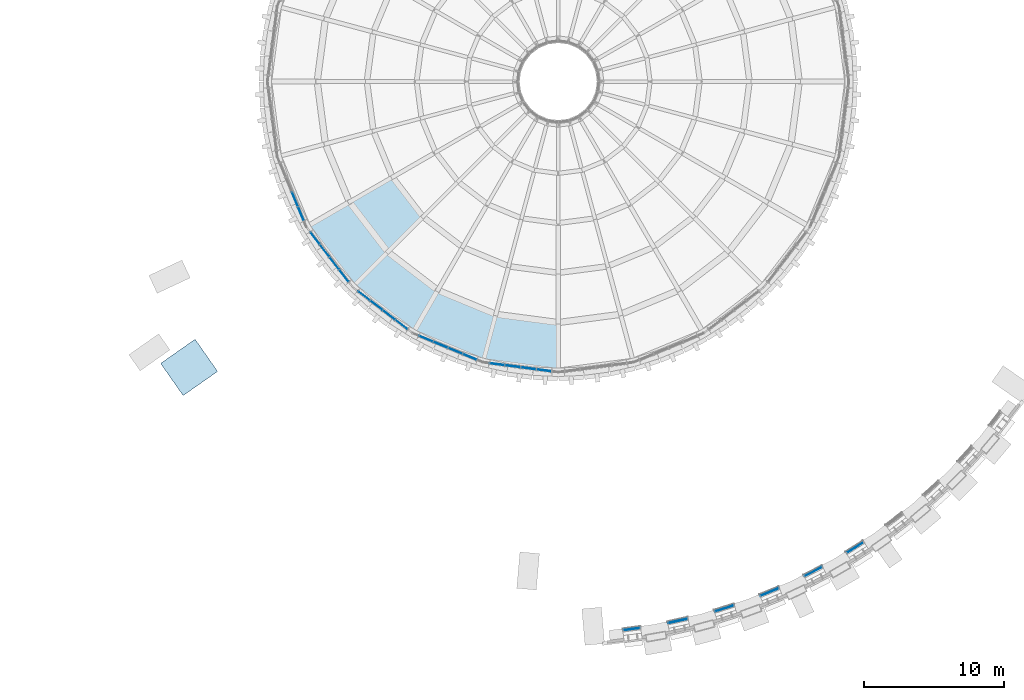
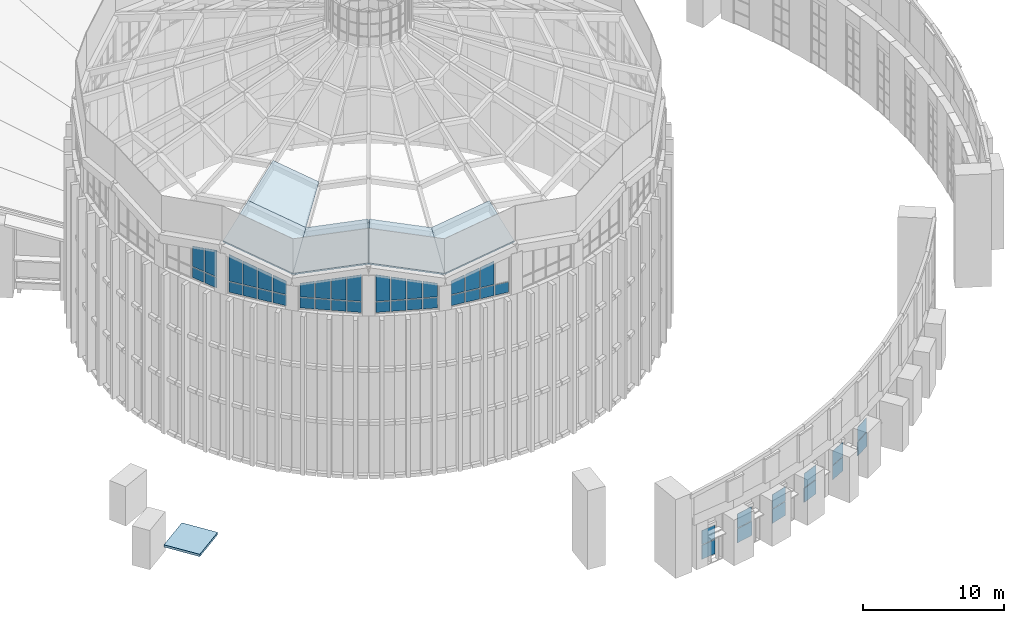
# One storey, part 38 of 82: 47 plates, 6 slabs, 12 elements without a shape of their own.
"""IFC4 building model written with IfcOpenShell, lengths in metres."""

from ifc_helpers import new_model, si_unit, direction, frame, origin, origin_2d, place, context, subcontext, project, spatial, polyline, rectangle, outline, extrude, material, layer, layer_set, type_object, element, aggregate, save


model = new_model("IFC4")

# Units and contexts
model_context = context("Model", 3, precision=1e-05, world=origin(), true_north=direction((0.0, 1.0)))
body_context = subcontext(model_context, "Body", "Model", "MODEL_VIEW")
ifc_project = project(units=[si_unit("LENGTHUNIT", "METRE"), si_unit("AREAUNIT", "SQUARE_METRE"), si_unit("VOLUMEUNIT", "CUBIC_METRE"), si_unit("PLANEANGLEUNIT", "RADIAN"), si_unit("MASSUNIT", "GRAM", prefix="KILO")], contexts=[model_context])

# Site, building, storey
site_placement = place(None, origin())
site = spatial("IfcSite", under=ifc_project, at=site_placement, CompositionType="ELEMENT")
building_placement = place(site_placement, origin())
building = spatial("IfcBuilding", under=site, at=building_placement, Name="Volute Hill Aquarium", CompositionType="ELEMENT")
storey_placement = place(building_placement, frame((0.0, 0.0, 13.800048828125)))
storey = spatial("IfcBuildingStorey", under=building, at=storey_placement, Name="L04", CompositionType="ELEMENT", Elevation=13.800048828125)

# Curtain wall, plates
ifc_material_1 = material(Name="Aluminium", Category="aluminium")
ifc_layer_1 = layer(ifc_material_1, 0.25)
ifc_layer_set_1 = layer_set([ifc_layer_1], Name="Curtain wall niche S3 module 1289")
curtain_wall_type_1 = type_object("IfcCurtainWallType", Name="Curtain wall niche S3 module 1289", PredefinedType="NOTDEFINED", material=ifc_layer_set_1)
curtain_wall_1_placement = place(storey_placement, origin())
curtain_wall_1 = element("IfcCurtainWall", 1, at=curtain_wall_1_placement, inside=storey, type_object=curtain_wall_type_1, Name="Curtain wall CW S3 L04 1", PredefinedType="NOTDEFINED")
ifc_material_2 = material(Name="Glass, low-iron laminated", Category="glass")
ifc_layer_2 = layer(ifc_material_2, 0.035888671875)
ifc_layer_set_2 = layer_set([ifc_layer_2], Name="Curtain wall glass panel S3 36")
plate_type_1 = type_object("IfcPlateType", Name="Curtain wall glass panel S3 36", PredefinedType="CURTAIN_PANEL", material=ifc_layer_set_2)
plate_1_placement = place(storey_placement, frame((5.23388671875, -38.987548828125, 0.06005859375), z_axis=(0.0, 0.0, 1.0), x_axis=(0.991447455432, 0.130506486875, 0.0)))
plate_1 = element("IfcPlate", 2, at=plate_1_placement, type_object=plate_type_1, Name="CW panel 1.1", PredefinedType="CURTAIN_PANEL", context=body_context, shape_type="SweptSolid", body=[
    extrude(rectangle(XDim=1.1689453125, YDim=0.035888671875, at=origin_2d()), origin(), (0.0, 0.0, 1.0), 1.20849609375),
])
plate_2_placement = place(storey_placement, frame((5.23388671875, -38.987548828125, 1.32861328125), z_axis=(0.0, 0.0, 1.0), x_axis=(0.991447455432, 0.130506486875, 0.0)))
plate_2 = element("IfcPlate", 3, at=plate_2_placement, type_object=plate_type_1, Name="CW panel 1.2", PredefinedType="CURTAIN_PANEL", context=body_context, shape_type="SweptSolid", body=[
    extrude(rectangle(XDim=1.1689453125, YDim=0.035888671875, at=origin_2d()), origin(), (0.0, 0.0, 1.0), 1.20849609375),
])
aggregate(curtain_wall_1, [plate_1, plate_2])

# Curtain wall, plate
ifc_material_3 = material(Name="Aluminium", Category="aluminium")
ifc_layer_3 = layer(ifc_material_3, 0.25)
ifc_layer_set_3 = layer_set([ifc_layer_3], Name="Curtain wall niche S3 module 1489")
curtain_wall_type_2 = type_object("IfcCurtainWallType", Name="Curtain wall niche S3 module 1489", PredefinedType="NOTDEFINED", material=ifc_layer_set_3)
curtain_wall_2_placement = place(storey_placement, origin())
curtain_wall_2 = element("IfcCurtainWall", 4, at=curtain_wall_2_placement, inside=storey, type_object=curtain_wall_type_2, Name="Curtain wall CW S3 L04 2", PredefinedType="NOTDEFINED")
plate_3_placement = place(storey_placement, frame((8.51416015625, -38.40478515625, 1.33349609375), z_axis=(0.0, 0.0, 1.0), x_axis=(0.976298320472, 0.216429178819, 0.0)))
plate_3 = element("IfcPlate", 5, at=plate_3_placement, type_object=plate_type_1, Name="CW panel 1.2", PredefinedType="CURTAIN_PANEL", context=body_context, shape_type="SweptSolid", body=[
    extrude(rectangle(XDim=1.369140625, YDim=0.035888671875, at=origin_2d()), origin(), (0.0, 0.0, 1.0), 1.213623046875),
])

# Curtain wall, plates
curtain_wall_3_placement = place(storey_placement, origin())
curtain_wall_3 = element("IfcCurtainWall", 6, at=curtain_wall_3_placement, inside=storey, type_object=curtain_wall_type_2, Name="Curtain wall CW S3 L04 3", PredefinedType="NOTDEFINED")
plate_4_placement = place(storey_placement, frame((11.828857421875, -37.5166015625, 0.06005859375), z_axis=(0.0, 0.0, 1.0), x_axis=(0.953714807337, 0.300712597453, 0.0)))
plate_4 = element("IfcPlate", 7, at=plate_4_placement, type_object=plate_type_1, Name="CW panel 1.1", PredefinedType="CURTAIN_PANEL", context=body_context, shape_type="SweptSolid", body=[
    extrude(rectangle(XDim=1.369140625, YDim=0.035888671875, at=origin_2d()), origin(), (0.0, 0.0, 1.0), 1.20751953125),
])
plate_5_placement = place(storey_placement, frame((11.828857421875, -37.5166015625, 1.327392578125), z_axis=(0.0, 0.0, 1.0), x_axis=(0.953714807337, 0.300712597453, 0.0)))
plate_5 = element("IfcPlate", 8, at=plate_5_placement, type_object=plate_type_1, Name="CW panel 1.2", PredefinedType="CURTAIN_PANEL", context=body_context, shape_type="SweptSolid", body=[
    extrude(rectangle(XDim=1.369140625, YDim=0.035888671875, at=origin_2d()), origin(), (0.0, 0.0, 1.0), 1.20751953125),
])
aggregate(curtain_wall_3, [plate_4, plate_5])

# Curtain wall, plate
curtain_wall_4_placement = place(storey_placement, origin())
curtain_wall_4 = element("IfcCurtainWall", 9, at=curtain_wall_4_placement, inside=storey, type_object=curtain_wall_type_2, Name="Curtain wall CW S3 L04 4", PredefinedType="NOTDEFINED")
plate_6_placement = place(storey_placement, frame((15.0537109375, -36.3427734375, 1.327392578125), z_axis=(0.0, 0.0, 1.0), x_axis=(0.923875737316, 0.382692594649, 0.0)))
plate_6 = element("IfcPlate", 10, at=plate_6_placement, type_object=plate_type_1, Name="CW panel 1.2", PredefinedType="CURTAIN_PANEL", context=body_context, shape_type="SweptSolid", body=[
    extrude(rectangle(XDim=1.369140625, YDim=0.035888671875, at=origin_2d()), origin(), (0.0, 0.0, 1.0), 1.20751953125),
])

# Curtain wall, plates
curtain_wall_5_placement = place(storey_placement, origin())
curtain_wall_5 = element("IfcCurtainWall", 11, at=curtain_wall_5_placement, inside=storey, type_object=curtain_wall_type_2, Name="Curtain wall CW S3 L04 5", PredefinedType="NOTDEFINED")
plate_7_placement = place(storey_placement, frame((18.163818359375, -34.892578125, 0.06005859375), z_axis=(0.0, 0.0, 1.0), x_axis=(0.887013102438, 0.461744254001, 0.0)))
plate_7 = element("IfcPlate", 12, at=plate_7_placement, type_object=plate_type_1, Name="CW panel 1.1", PredefinedType="CURTAIN_PANEL", context=body_context, shape_type="SweptSolid", body=[
    extrude(rectangle(XDim=1.369140625, YDim=0.035888671875, at=origin_2d()), origin(), (0.0, 0.0, 1.0), 1.20751953125),
])
plate_8_placement = place(storey_placement, frame((18.163818359375, -34.892578125, 1.327392578125), z_axis=(0.0, 0.0, 1.0), x_axis=(0.887013102438, 0.461744254001, 0.0)))
plate_8 = element("IfcPlate", 13, at=plate_8_placement, type_object=plate_type_1, Name="CW panel 1.2", PredefinedType="CURTAIN_PANEL", context=body_context, shape_type="SweptSolid", body=[
    extrude(rectangle(XDim=1.369140625, YDim=0.035888671875, at=origin_2d()), origin(), (0.0, 0.0, 1.0), 1.20751953125),
])
aggregate(curtain_wall_5, [plate_7, plate_8])

# Curtain wall, plate
curtain_wall_6_placement = place(storey_placement, origin())
curtain_wall_6 = element("IfcCurtainWall", 14, at=curtain_wall_6_placement, inside=storey, type_object=curtain_wall_type_2, Name="Curtain wall CW S3 L04 6", PredefinedType="NOTDEFINED")
plate_9_placement = place(storey_placement, frame((21.1357421875, -33.1767578125, 1.327392578125), z_axis=(0.0, 0.0, 1.0), x_axis=(0.843386539683, 0.53730730935, 0.0)))
plate_9 = element("IfcPlate", 15, at=plate_9_placement, type_object=plate_type_1, Name="CW panel 1.2", PredefinedType="CURTAIN_PANEL", context=body_context, shape_type="SweptSolid", body=[
    extrude(rectangle(XDim=1.369140625, YDim=0.035888671875, at=origin_2d()), origin(), (0.0, 0.0, 1.0), 1.20751953125),
])

# Curtain wall, plates
ifc_material_4 = material(Name="Aluminium", Category="aluminium")
ifc_layer_4 = layer(ifc_material_4, 0.219970703125)
ifc_layer_set_4 = layer_set([ifc_layer_4], Name="Curtain wall DR clerestory module 1134")
curtain_wall_type_3 = type_object("IfcCurtainWallType", Name="Curtain wall DR clerestory module 1134", PredefinedType="NOTDEFINED", material=ifc_layer_set_4)
curtain_wall_7_placement = place(storey_placement, origin())
curtain_wall_7 = element("IfcCurtainWall", 16, at=curtain_wall_7_placement, inside=storey, type_object=curtain_wall_type_3, Name="Curtain wall CW DR clerestory c13", PredefinedType="NOTDEFINED")
ifc_material_5 = material(Name="Glass, low-iron laminated", Category="glass")
ifc_layer_5 = layer(ifc_material_5, 0.035888671875)
ifc_layer_set_5 = layer_set([ifc_layer_5], Name="Curtain wall glass panel clerestory 36")
plate_type_2 = type_object("IfcPlateType", Name="Curtain wall glass panel clerestory 36", PredefinedType="CURTAIN_PANEL", material=ifc_layer_set_5)
plate_10_placement = place(storey_placement, frame((-18.74365234375, -8.377685546875, 13.77001953125), z_axis=(0.0, 0.0, 1.0), x_axis=(0.382696102118, -0.923874284426, 0.0)))
plate_10 = element("IfcPlate", 17, at=plate_10_placement, type_object=plate_type_2, Name="Panel DR clerestory 3.1", PredefinedType="CURTAIN_PANEL", context=body_context, shape_type="SweptSolid", body=[
    extrude(rectangle(XDim=1.06396484375, YDim=0.035888671875, at=origin_2d()), origin(), (0.0, 0.0, 1.0), 0.89501953125),
])
plate_11_placement = place(storey_placement, frame((-18.9638671875, -7.89306640625, 14.73486328125), z_axis=(-0.923849008585, -0.38275711533, 0.0), x_axis=(0.38275711533, -0.923849008585, 0.0)))
plate_11 = element("IfcPlate", 18, at=plate_11_placement, type_object=plate_type_2, Name="Panel DR clerestory 3.2", PredefinedType="CURTAIN_PANEL", context=body_context, shape_type="SweptSolid", body=[
    extrude(outline(polyline([(0.0, 0.0), (1.0639294377283515, 0.0), (1.0639294377283515, 2.007080078125), (0.0, 1.7314453125), (0.0, 0.0)])), origin(), (0.0, 0.0, -1.0), 0.035888671875),
])
plate_12_placement = place(storey_placement, frame((-18.31640625, -9.4091796875, 13.77001953125), z_axis=(0.0, 0.0, 1.0), x_axis=(0.382696102118, -0.923874284426, 0.0)))
plate_12 = element("IfcPlate", 19, at=plate_12_placement, type_object=plate_type_2, Name="Panel DR clerestory 4.1", PredefinedType="CURTAIN_PANEL", context=body_context, shape_type="SweptSolid", body=[
    extrude(rectangle(XDim=1.029052734375, YDim=0.035888671875, at=origin_2d()), origin(), (0.0, 0.0, 1.0), 0.89501953125),
])
plate_13_placement = place(storey_placement, frame((-18.530029296875, -8.940673828125, 14.73486328125), z_axis=(-0.923875137994, -0.382694041496, 0.0), x_axis=(0.382694041496, -0.923875137994, 0.0)))
plate_13 = element("IfcPlate", 20, at=plate_13_placement, type_object=plate_type_2, Name="Panel DR clerestory 4.2", PredefinedType="CURTAIN_PANEL", context=body_context, shape_type="SweptSolid", body=[
    extrude(outline(polyline([(0.0, 0.0), (1.029017401435971, 0.0), (1.029017401435971, 2.2917480468750004), (0.0, 2.0251464843750004), (0.0, 0.0)])), origin(), (0.0, 0.0, -1.0), 0.035888671875),
])
aggregate(curtain_wall_7, [plate_10, plate_11, plate_12, plate_13])

curtain_wall_8_placement = place(storey_placement, origin())
curtain_wall_8 = element("IfcCurtainWall", 21, at=curtain_wall_8_placement, inside=storey, type_object=curtain_wall_type_3, Name="Curtain wall CW DR clerestory c14", PredefinedType="NOTDEFINED")
plate_14_placement = place(storey_placement, frame((-17.306640625, -11.157958984375, 13.77001953125), z_axis=(0.0, 0.0, 1.0), x_axis=(0.608760551921, -0.793354013303, 0.0)))
plate_14 = element("IfcPlate", 22, at=plate_14_placement, type_object=plate_type_2, Name="Panel DR clerestory 1.1", PredefinedType="CURTAIN_PANEL", context=body_context, shape_type="SweptSolid", body=[
    extrude(rectangle(XDim=1.029052734375, YDim=0.035888671875, at=origin_2d()), origin(), (0.0, 0.0, 1.0), 0.89501953125),
])
plate_15_placement = place(storey_placement, frame((-17.63427734375, -10.7607421875, 14.73486328125), z_axis=(-0.793461214918, -0.608620818261, 0.0), x_axis=(0.608620818261, -0.793461214918, 0.0)))
plate_15 = element("IfcPlate", 23, at=plate_15_placement, type_object=plate_type_2, Name="Panel DR clerestory 1.2", PredefinedType="CURTAIN_PANEL", context=body_context, shape_type="SweptSolid", body=[
    extrude(outline(polyline([(0.0, 0.0), (1.0289176517396483, 0.0), (1.0289176517396483, 2.025146484375), (0.0, 2.291748046875), (0.0, 0.0)])), origin(), (0.0, 0.0, -1.0), 0.035888671875),
])
plate_16_placement = place(storey_placement, frame((-16.626953125, -12.043701171875, 13.77001953125), z_axis=(0.0, 0.0, 1.0), x_axis=(0.608760551921, -0.793354013303, 0.0)))
plate_16 = element("IfcPlate", 24, at=plate_16_placement, type_object=plate_type_2, Name="Panel DR clerestory 2.1", PredefinedType="CURTAIN_PANEL", context=body_context, shape_type="SweptSolid", body=[
    extrude(rectangle(XDim=1.06396484375, YDim=0.035888671875, at=origin_2d()), origin(), (0.0, 0.0, 1.0), 0.89501953125),
])
plate_17_placement = place(storey_placement, frame((-16.965087890625, -11.632568359375, 14.73486328125), z_axis=(-0.793399515431, -0.608701247669, 0.0), x_axis=(0.608701247669, -0.793399515431, 0.0)))
plate_17 = element("IfcPlate", 25, at=plate_17_placement, type_object=plate_type_2, Name="Panel DR clerestory 2.2", PredefinedType="CURTAIN_PANEL", context=body_context, shape_type="SweptSolid", body=[
    extrude(outline(polyline([(0.0, 0.0), (1.0640771324283154, 0.0), (1.0640771324283154, 1.7314453125000004), (0.0, 2.0070800781250004), (0.0, 0.0)])), origin(), (0.0, 0.0, -1.0), 0.035888671875),
])
plate_18_placement = place(storey_placement, frame((-15.936767578125, -12.943359375, 13.77001953125), z_axis=(0.0, 0.0, 1.0), x_axis=(0.608760551921, -0.793354013303, 0.0)))
plate_18 = element("IfcPlate", 26, at=plate_18_placement, type_object=plate_type_2, Name="Panel DR clerestory 3.1", PredefinedType="CURTAIN_PANEL", context=body_context, shape_type="SweptSolid", body=[
    extrude(rectangle(XDim=1.06396484375, YDim=0.035888671875, at=origin_2d()), origin(), (0.0, 0.0, 1.0), 0.89501953125),
])
plate_19_placement = place(storey_placement, frame((-16.274658203125, -12.5322265625, 14.73486328125), z_axis=(-0.793399515431, -0.608701247669, 0.0), x_axis=(0.608701247669, -0.793399515431, 0.0)))
plate_19 = element("IfcPlate", 27, at=plate_19_placement, type_object=plate_type_2, Name="Panel DR clerestory 3.2", PredefinedType="CURTAIN_PANEL", context=body_context, shape_type="SweptSolid", body=[
    extrude(outline(polyline([(0.0, 0.0), (1.0640771324283154, 0.0), (1.0640771324283154, 1.4377441406250002), (0.0, 1.7133789062500004), (0.0, 0.0)])), origin(), (0.0, 0.0, -1.0), 0.035888671875),
])
plate_20_placement = place(storey_placement, frame((-15.257080078125, -13.8291015625, 13.77001953125), z_axis=(0.0, 0.0, 1.0), x_axis=(0.608760551921, -0.793354013303, 0.0)))
plate_20 = element("IfcPlate", 28, at=plate_20_placement, type_object=plate_type_2, Name="Panel DR clerestory 4.1", PredefinedType="CURTAIN_PANEL", context=body_context, shape_type="SweptSolid", body=[
    extrude(rectangle(XDim=1.029052734375, YDim=0.035888671875, at=origin_2d()), origin(), (0.0, 0.0, 1.0), 0.89501953125),
])
plate_21_placement = place(storey_placement, frame((-15.58447265625, -13.431884765625, 14.73486328125), z_axis=(-0.793346631306, -0.608770172228, 0.0), x_axis=(0.608770172228, -0.793346631306, 0.0)))
plate_21 = element("IfcPlate", 29, at=plate_21_placement, type_object=plate_type_2, Name="Panel DR clerestory 4.2", PredefinedType="CURTAIN_PANEL", context=body_context, shape_type="SweptSolid", body=[
    extrude(outline(polyline([(0.0, 0.0), (1.0290662590396085, 0.0), (1.0290662590396085, 1.1528320312500002), (0.0, 1.4194335937500002), (0.0, 0.0)])), origin(), (0.0, 0.0, -1.0), 0.035888671875),
])
aggregate(curtain_wall_8, [plate_14, plate_15, plate_16, plate_17, plate_18, plate_19, plate_20, plate_21])

curtain_wall_9_placement = place(storey_placement, origin())
curtain_wall_9 = element("IfcCurtainWall", 30, at=curtain_wall_9_placement, inside=storey, type_object=curtain_wall_type_3, Name="Curtain wall CW DR clerestory c15", PredefinedType="NOTDEFINED")
plate_22_placement = place(storey_placement, frame((-13.8291015625, -15.257080078125, 13.77001953125), z_axis=(0.0, 0.0, 1.0), x_axis=(0.793354013303, -0.608760551921, 0.0)))
plate_22 = element("IfcPlate", 31, at=plate_22_placement, type_object=plate_type_2, Name="Panel DR clerestory 1.1", PredefinedType="CURTAIN_PANEL", context=body_context, shape_type="SweptSolid", body=[
    extrude(rectangle(XDim=1.029052734375, YDim=0.035888671875, at=origin_2d()), origin(), (0.0, 0.0, 1.0), 0.89501953125),
])
plate_23_placement = place(storey_placement, frame((-14.248291015625, -14.9580078125, 14.73486328125), z_axis=(-0.608770172228, -0.793346631306, 0.0), x_axis=(0.793346631306, -0.608770172228, 0.0)))
plate_23 = element("IfcPlate", 32, at=plate_23_placement, type_object=plate_type_2, Name="Panel DR clerestory 1.2", PredefinedType="CURTAIN_PANEL", context=body_context, shape_type="SweptSolid", body=[
    extrude(outline(polyline([(0.0, 0.0), (1.0290662590396085, 0.0), (1.0290662590396085, 1.4194335937500002), (0.0, 1.1528320312500002), (0.0, 0.0)])), origin(), (0.0, 0.0, -1.0), 0.035888671875),
])
plate_24_placement = place(storey_placement, frame((-12.943359375, -15.936767578125, 13.77001953125), z_axis=(0.0, 0.0, 1.0), x_axis=(0.793354013303, -0.608760551921, 0.0)))
plate_24 = element("IfcPlate", 33, at=plate_24_placement, type_object=plate_type_2, Name="Panel DR clerestory 2.1", PredefinedType="CURTAIN_PANEL", context=body_context, shape_type="SweptSolid", body=[
    extrude(rectangle(XDim=1.06396484375, YDim=0.035888671875, at=origin_2d()), origin(), (0.0, 0.0, 1.0), 0.89501953125),
])
plate_25_placement = place(storey_placement, frame((-13.37646484375, -15.626953125, 14.73486328125), z_axis=(-0.608701247669, -0.793399515431, 0.0), x_axis=(0.793399515431, -0.608701247669, 0.0)))
plate_25 = element("IfcPlate", 34, at=plate_25_placement, type_object=plate_type_2, Name="Panel DR clerestory 2.2", PredefinedType="CURTAIN_PANEL", context=body_context, shape_type="SweptSolid", body=[
    extrude(outline(polyline([(0.0, 0.0), (1.0640771324283154, 0.0), (1.0640771324283154, 1.7133789062500004), (0.0, 1.4377441406250002), (0.0, 0.0)])), origin(), (0.0, 0.0, -1.0), 0.035888671875),
])
plate_26_placement = place(storey_placement, frame((-12.043701171875, -16.626953125, 13.77001953125), z_axis=(0.0, 0.0, 1.0), x_axis=(0.793354013303, -0.608760551921, 0.0)))
plate_26 = element("IfcPlate", 35, at=plate_26_placement, type_object=plate_type_2, Name="Panel DR clerestory 3.1", PredefinedType="CURTAIN_PANEL", context=body_context, shape_type="SweptSolid", body=[
    extrude(rectangle(XDim=1.06396484375, YDim=0.035888671875, at=origin_2d()), origin(), (0.0, 0.0, 1.0), 0.89501953125),
])
plate_27_placement = place(storey_placement, frame((-12.476806640625, -16.3173828125, 14.73486328125), z_axis=(-0.608701247669, -0.793399515431, 0.0), x_axis=(0.793399515431, -0.608701247669, 0.0)))
plate_27 = element("IfcPlate", 36, at=plate_27_placement, type_object=plate_type_2, Name="Panel DR clerestory 3.2", PredefinedType="CURTAIN_PANEL", context=body_context, shape_type="SweptSolid", body=[
    extrude(outline(polyline([(0.0, 0.0), (1.0640771324283154, 0.0), (1.0640771324283154, 2.0070800781250004), (0.0, 1.7314453125000004), (0.0, 0.0)])), origin(), (0.0, 0.0, -1.0), 0.035888671875),
])
plate_28_placement = place(storey_placement, frame((-11.157958984375, -17.306640625, 13.77001953125), z_axis=(0.0, 0.0, 1.0), x_axis=(0.793354013303, -0.608760551921, 0.0)))
plate_28 = element("IfcPlate", 37, at=plate_28_placement, type_object=plate_type_2, Name="Panel DR clerestory 4.1", PredefinedType="CURTAIN_PANEL", context=body_context, shape_type="SweptSolid", body=[
    extrude(rectangle(XDim=1.029052734375, YDim=0.035888671875, at=origin_2d()), origin(), (0.0, 0.0, 1.0), 0.89501953125),
])
plate_29_placement = place(storey_placement, frame((-11.5771484375, -17.008056640625, 14.73486328125), z_axis=(-0.608620818261, -0.793461214918, 0.0), x_axis=(0.793461214918, -0.608620818261, 0.0)))
plate_29 = element("IfcPlate", 38, at=plate_29_placement, type_object=plate_type_2, Name="Panel DR clerestory 4.2", PredefinedType="CURTAIN_PANEL", context=body_context, shape_type="SweptSolid", body=[
    extrude(outline(polyline([(0.0, 0.0), (1.0289176517396483, 0.0), (1.0289176517396483, 2.291748046875), (0.0, 2.025146484375), (0.0, 0.0)])), origin(), (0.0, 0.0, -1.0), 0.035888671875),
])
aggregate(curtain_wall_9, [plate_22, plate_23, plate_24, plate_25, plate_26, plate_27, plate_28, plate_29])

curtain_wall_10_placement = place(storey_placement, origin())
curtain_wall_10 = element("IfcCurtainWall", 39, at=curtain_wall_10_placement, inside=storey, type_object=curtain_wall_type_3, Name="Curtain wall CW DR clerestory c16", PredefinedType="NOTDEFINED")
plate_30_placement = place(storey_placement, frame((-9.4091796875, -18.31640625, 13.77001953125), z_axis=(0.0, 0.0, 1.0), x_axis=(0.923874284426, -0.382696102118, 0.0)))
plate_30 = element("IfcPlate", 40, at=plate_30_placement, type_object=plate_type_2, Name="Panel DR clerestory 1.1", PredefinedType="CURTAIN_PANEL", context=body_context, shape_type="SweptSolid", body=[
    extrude(rectangle(XDim=1.029052734375, YDim=0.035888671875, at=origin_2d()), origin(), (0.0, 0.0, 1.0), 0.89501953125),
])
plate_31_placement = place(storey_placement, frame((-9.891357421875, -18.13623046875, 14.73486328125), z_axis=(-0.382694041496, -0.923875137994, 0.0), x_axis=(0.923875137994, -0.382694041496, 0.0)))
plate_31 = element("IfcPlate", 41, at=plate_31_placement, type_object=plate_type_2, Name="Panel DR clerestory 1.2", PredefinedType="CURTAIN_PANEL", context=body_context, shape_type="SweptSolid", body=[
    extrude(outline(polyline([(0.0, 0.0), (1.029017401435971, 0.0), (1.029017401435971, 2.0251464843750004), (0.0, 2.2917480468750004), (0.0, 0.0)])), origin(), (0.0, 0.0, -1.0), 0.035888671875),
])
plate_32_placement = place(storey_placement, frame((-8.377685546875, -18.74365234375, 13.77001953125), z_axis=(0.0, 0.0, 1.0), x_axis=(0.923874284426, -0.382696102118, 0.0)))
plate_32 = element("IfcPlate", 42, at=plate_32_placement, type_object=plate_type_2, Name="Panel DR clerestory 2.1", PredefinedType="CURTAIN_PANEL", context=body_context, shape_type="SweptSolid", body=[
    extrude(rectangle(XDim=1.06396484375, YDim=0.035888671875, at=origin_2d()), origin(), (0.0, 0.0, 1.0), 0.89501953125),
])
plate_33_placement = place(storey_placement, frame((-8.8759765625, -18.556640625, 14.73486328125), z_axis=(-0.38275711533, -0.923849008585, 0.0), x_axis=(0.923849008585, -0.38275711533, 0.0)))
plate_33 = element("IfcPlate", 43, at=plate_33_placement, type_object=plate_type_2, Name="Panel DR clerestory 2.2", PredefinedType="CURTAIN_PANEL", context=body_context, shape_type="SweptSolid", body=[
    extrude(outline(polyline([(0.0, 0.0), (1.0639294377283515, 0.0), (1.0639294377283515, 1.7314453125), (0.0, 2.007080078125), (0.0, 0.0)])), origin(), (0.0, 0.0, -1.0), 0.035888671875),
])
plate_34_placement = place(storey_placement, frame((-7.330078125, -19.177734375, 13.77001953125), z_axis=(0.0, 0.0, 1.0), x_axis=(0.923874284426, -0.382696102118, 0.0)))
plate_34 = element("IfcPlate", 44, at=plate_34_placement, type_object=plate_type_2, Name="Panel DR clerestory 3.1", PredefinedType="CURTAIN_PANEL", context=body_context, shape_type="SweptSolid", body=[
    extrude(rectangle(XDim=1.06396484375, YDim=0.035888671875, at=origin_2d()), origin(), (0.0, 0.0, 1.0), 0.89501953125),
])
plate_35_placement = place(storey_placement, frame((-7.828369140625, -18.99072265625, 14.73486328125), z_axis=(-0.382675987972, -0.923882616045, 0.0), x_axis=(0.923882616045, -0.382675987972, 0.0)))
plate_35 = element("IfcPlate", 45, at=plate_35_placement, type_object=plate_type_2, Name="Panel DR clerestory 3.2", PredefinedType="CURTAIN_PANEL", context=body_context, shape_type="SweptSolid", body=[
    extrude(outline(polyline([(0.0, 0.0), (1.064154990905621, 0.0), (1.064154990905621, 1.4377441406250002), (0.0, 1.7133789062500004), (0.0, 0.0)])), origin(), (0.0, 0.0, -1.0), 0.035888671875),
])
plate_36_placement = place(storey_placement, frame((-6.29833984375, -19.60498046875, 13.77001953125), z_axis=(0.0, 0.0, 1.0), x_axis=(0.923874284426, -0.382696102118, 0.0)))
plate_36 = element("IfcPlate", 46, at=plate_36_placement, type_object=plate_type_2, Name="Panel DR clerestory 4.1", PredefinedType="CURTAIN_PANEL", context=body_context, shape_type="SweptSolid", body=[
    extrude(rectangle(XDim=1.029052734375, YDim=0.035888671875, at=origin_2d()), origin(), (0.0, 0.0, 1.0), 0.89501953125),
])
plate_37_placement = place(storey_placement, frame((-6.780517578125, -19.424560546875, 14.73486328125), z_axis=(-0.382777942923, -0.923840379293, 0.0), x_axis=(0.923840379293, -0.382777942923, 0.0)))
plate_37 = element("IfcPlate", 47, at=plate_37_placement, type_object=plate_type_2, Name="Panel DR clerestory 4.2", PredefinedType="CURTAIN_PANEL", context=body_context, shape_type="SweptSolid", body=[
    extrude(outline(polyline([(0.0, 0.0), (1.0287918502248996, 0.0), (1.0287918502248996, 1.15283203125), (0.0, 1.41943359375), (0.0, 0.0)])), origin(), (0.0, 0.0, -1.0), 0.035888671875),
])
aggregate(curtain_wall_10, [plate_30, plate_31, plate_32, plate_33, plate_34, plate_35, plate_36, plate_37])

curtain_wall_11_placement = place(storey_placement, origin())
curtain_wall_11 = element("IfcCurtainWall", 48, at=curtain_wall_11_placement, inside=storey, type_object=curtain_wall_type_3, Name="Curtain wall CW DR clerestory c17", PredefinedType="NOTDEFINED")
plate_38_placement = place(storey_placement, frame((-4.347900390625, -20.127685546875, 13.77001953125), z_axis=(0.0, 0.0, 1.0), x_axis=(0.991445853287, -0.130518657667, 0.0)))
plate_38 = element("IfcPlate", 49, at=plate_38_placement, type_object=plate_type_2, Name="Panel DR clerestory 1.1", PredefinedType="CURTAIN_PANEL", context=body_context, shape_type="SweptSolid", body=[
    extrude(rectangle(XDim=1.029052734375, YDim=0.035888671875, at=origin_2d()), origin(), (0.0, 0.0, 1.0), 0.89501953125),
])
plate_39_placement = place(storey_placement, frame((-4.8603515625, -20.078369140625, 14.73486328125), z_axis=(-0.130515897359, -0.991446216664, 0.0), x_axis=(0.991446216664, -0.130515897359, 0.0)))
plate_39 = element("IfcPlate", 50, at=plate_39_placement, type_object=plate_type_2, Name="Panel DR clerestory 1.2", PredefinedType="CURTAIN_PANEL", context=body_context, shape_type="SweptSolid", body=[
    extrude(outline(polyline([(0.0, 0.0), (1.02881983319531, 0.0), (1.02881983319531, 1.41943359375), (0.0, 1.15283203125), (0.0, 0.0)])), origin(), (0.0, 0.0, -1.0), 0.035888671875),
])
plate_40_placement = place(storey_placement, frame((-3.240966796875, -20.2734375, 13.77001953125), z_axis=(0.0, 0.0, 1.0), x_axis=(0.991445853287, -0.130518657667, 0.0)))
plate_40 = element("IfcPlate", 51, at=plate_40_placement, type_object=plate_type_2, Name="Panel DR clerestory 2.1", PredefinedType="CURTAIN_PANEL", context=body_context, shape_type="SweptSolid", body=[
    extrude(rectangle(XDim=1.06396484375, YDim=0.035888671875, at=origin_2d()), origin(), (0.0, 0.0, 1.0), 0.89501953125),
])
plate_41_placement = place(storey_placement, frame((-3.770751953125, -20.2216796875, 14.73486328125), z_axis=(-0.1305554124, -0.991441014026, 0.0), x_axis=(0.991441014026, -0.1305554124, 0.0)))
plate_41 = element("IfcPlate", 52, at=plate_41_placement, type_object=plate_type_2, Name="Panel DR clerestory 2.2", PredefinedType="CURTAIN_PANEL", context=body_context, shape_type="SweptSolid", body=[
    extrude(outline(polyline([(0.0, 0.0), (1.0640387332183354, 0.0), (1.0640387332183354, 1.71337890625), (0.0, 1.437744140625), (0.0, 0.0)])), origin(), (0.0, 0.0, -1.0), 0.035888671875),
])
plate_42_placement = place(storey_placement, frame((-2.11669921875, -20.42138671875, 13.77001953125), z_axis=(0.0, 0.0, 1.0), x_axis=(0.991445853287, -0.130518657667, 0.0)))
plate_42 = element("IfcPlate", 53, at=plate_42_placement, type_object=plate_type_2, Name="Panel DR clerestory 3.1", PredefinedType="CURTAIN_PANEL", context=body_context, shape_type="SweptSolid", body=[
    extrude(rectangle(XDim=1.06396484375, YDim=0.035888671875, at=origin_2d()), origin(), (0.0, 0.0, 1.0), 0.89501953125),
])
plate_43_placement = place(storey_placement, frame((-2.646484375, -20.36962890625, 14.73486328125), z_axis=(-0.1305554124, -0.991441014026, 0.0), x_axis=(0.991441014026, -0.1305554124, 0.0)))
plate_43 = element("IfcPlate", 54, at=plate_43_placement, type_object=plate_type_2, Name="Panel DR clerestory 3.2", PredefinedType="CURTAIN_PANEL", context=body_context, shape_type="SweptSolid", body=[
    extrude(outline(polyline([(0.0, 0.0), (1.0640387332183352, 0.0), (1.0640387332183352, 2.007080078125), (0.0, 1.7314453125), (0.0, 0.0)])), origin(), (0.0, 0.0, -1.0), 0.035888671875),
])
plate_44_placement = place(storey_placement, frame((-1.009765625, -20.567138671875, 13.77001953125), z_axis=(0.0, 0.0, 1.0), x_axis=(0.991445853287, -0.130518657667, 0.0)))
plate_44 = element("IfcPlate", 55, at=plate_44_placement, type_object=plate_type_2, Name="Panel DR clerestory 4.1", PredefinedType="CURTAIN_PANEL", context=body_context, shape_type="SweptSolid", body=[
    extrude(rectangle(XDim=1.029052734375, YDim=0.035888671875, at=origin_2d()), origin(), (0.0, 0.0, 1.0), 0.89501953125),
])
aggregate(curtain_wall_11, [plate_38, plate_39, plate_40, plate_41, plate_42, plate_43, plate_44])

# Plate
ifc_material_6 = material(Name="Aluminium", Category="aluminium")
ifc_layer_6 = layer(ifc_material_6, 0.06005859375)
ifc_layer_set_6 = layer_set([ifc_layer_6], Name="Curtain wall insulated spandrel panel 60")
plate_type_3 = type_object("IfcPlateType", Name="Curtain wall insulated spandrel panel 60", PredefinedType="CURTAIN_PANEL", material=ifc_layer_set_6)
plate_45_placement = place(storey_placement, frame((8.51416015625, -38.40478515625, 0.06005859375), z_axis=(0.0, 0.0, 1.0), x_axis=(0.976298320472, 0.216429178819, 0.0)))
plate_45 = element("IfcPlate", 56, at=plate_45_placement, type_object=plate_type_3, Name="CW panel 1.1", PredefinedType="CURTAIN_PANEL", context=body_context, shape_type="SweptSolid", body=[
    extrude(rectangle(XDim=1.369140625, YDim=0.06005859375, at=origin_2d()), origin(), (0.0, 0.0, 1.0), 1.213623046875),
])

aggregate(curtain_wall_2, [plate_45, plate_3])

plate_46_placement = place(storey_placement, frame((15.0537109375, -36.3427734375, 0.06005859375), z_axis=(0.0, 0.0, 1.0), x_axis=(0.923875737316, 0.382692594649, 0.0)))
plate_46 = element("IfcPlate", 57, at=plate_46_placement, type_object=plate_type_3, Name="CW panel 1.1", PredefinedType="CURTAIN_PANEL", context=body_context, shape_type="SweptSolid", body=[
    extrude(rectangle(XDim=1.369140625, YDim=0.06005859375, at=origin_2d()), origin(), (0.0, 0.0, 1.0), 1.20751953125),
])

aggregate(curtain_wall_4, [plate_46, plate_6])

plate_47_placement = place(storey_placement, frame((21.1357421875, -33.1767578125, 0.06005859375), z_axis=(0.0, 0.0, 1.0), x_axis=(0.843386539683, 0.53730730935, 0.0)))
plate_47 = element("IfcPlate", 58, at=plate_47_placement, type_object=plate_type_3, Name="CW panel 1.1", PredefinedType="CURTAIN_PANEL", context=body_context, shape_type="SweptSolid", body=[
    extrude(rectangle(XDim=1.369140625, YDim=0.06005859375, at=origin_2d()), origin(), (0.0, 0.0, 1.0), 1.20751953125),
])

aggregate(curtain_wall_6, [plate_47, plate_9])

# Roof, slabs
roof_placement = place(storey_placement, origin())
roof = element("IfcRoof", 59, at=roof_placement, inside=storey, Name="Folded dome shell roof", PredefinedType="DOME_ROOF")
ifc_material_7 = material(Name="Concrete C40/50", Category="concrete")
ifc_layer_7 = layer(ifc_material_7, 0.179931640625)
ifc_layer_set_7 = layer_set([ifc_layer_7], Name="Dome shell plate C40/50 180")
slab_type_1 = type_object("IfcSlabType", Name="Dome shell plate C40/50 180", PredefinedType="ROOF", material=ifc_layer_set_7)
slab_1_placement = place(storey_placement, frame((-14.8291015625, -8.6240234375, 19.4052734375), z_axis=(-0.150916530515, -0.409611973827, 0.899690075367), x_axis=(0.589560601899, -0.767837319943, -0.250687348686)))
slab_1 = element("IfcSlab", 60, at=slab_1_placement, type_object=slab_type_1, Name="Dome shell plate 2.15", PredefinedType="ROOF", context=body_context, shape_type="SweptSolid", body=[
    extrude(outline(polyline([(0.0, 0.0), (4.571309337870088, 1.6653345369377348e-16), (3.7340871763661503, 3.7766489165209465), (0.11738901711548122, 3.776258128446943), (0.0, 0.0)])), origin(), (0.0, 0.0, -1.0), 0.179931640625),
])
ifc_material_8 = material(Name="Concrete C40/50", Category="concrete")
ifc_layer_8 = layer(ifc_material_8, 0.199951171875)
ifc_layer_set_8 = layer_set([ifc_layer_8], Name="Dome shell plate C40/50 200")
slab_type_2 = type_object("IfcSlabType", Name="Dome shell plate C40/50 200", PredefinedType="ROOF", material=ifc_layer_set_8)
slab_2_placement = place(storey_placement, frame((-17.8916015625, -10.398681640625, 18.083740234375), z_axis=(-0.150877920947, -0.409575145559, 0.89971331718), x_axis=(0.589556946659, -0.767843172201, -0.250678019678)))
slab_2 = element("IfcSlab", 61, at=slab_2_placement, type_object=slab_type_2, Name="Dome shell plate 1.15", PredefinedType="ROOF", context=body_context, shape_type="SweptSolid", body=[
    extrude(outline(polyline([(0.0, 0.0), (5.520059186301094, 3.3306690738754696e-16), (4.682888975810171, 3.776559621580285), (0.11744096834879747, 3.776171175619449), (0.0, 0.0)])), origin(), (0.0, 0.0, -1.0), 0.199951171875),
])
slab_3_placement = place(storey_placement, frame((-14.63720703125, -14.63720703125, 16.699951171875), z_axis=(-0.409575145559, -0.150877920947, 0.89971331718), x_axis=(0.767843172201, -0.589556946659, 0.250678019678)))
slab_3 = element("IfcSlab", 62, at=slab_3_placement, type_object=slab_type_2, Name="Dome shell plate 1.16", PredefinedType="ROOF", context=body_context, shape_type="SweptSolid", body=[
    extrude(outline(polyline([(0.0, 0.0), (5.520059186301094, -3.3306690738754696e-16), (5.402618217952297, 3.7761711756194494), (0.8371702104909248, 3.776559621580285), (0.0, 0.0)])), origin(), (0.0, 0.0, -1.0), 0.199951171875),
])
slab_4_placement = place(storey_placement, frame((-10.29541015625, -17.951416015625, 18.083740234375), z_axis=(0.074142092986, -0.430135517658, 0.899714613918), x_axis=(0.894512239755, -0.370149016335, -0.250674208155)))
slab_4 = element("IfcSlab", 63, at=slab_4_placement, type_object=slab_type_2, Name="Dome shell plate 1.17", PredefinedType="ROOF", context=body_context, shape_type="SweptSolid", body=[
    extrude(outline(polyline([(0.0, 0.0), (5.5200460396927955, 0.0), (4.683068780298519, 3.776642057947934), (0.11761172407191545, 3.7763640686527125), (0.0, 0.0)])), origin(), (0.0, 0.0, -1.0), 0.199951171875),
])
slab_5_placement = place(storey_placement, frame((-5.357666015625, -19.99462890625, 16.699951171875), z_axis=(-0.279270904492, -0.335445688066, 0.899713261135), x_axis=(0.959747498472, -0.12666712471, 0.250679434127)))
slab_5 = element("IfcSlab", 64, at=slab_5_placement, type_object=slab_type_2, Name="Dome shell plate 1.18", PredefinedType="ROOF", context=body_context, shape_type="SweptSolid", body=[
    extrude(outline(polyline([(0.0, 0.0), (5.520055272130374, 1.1102230246251565e-16), (5.402501491025283, 3.776240675621363), (0.8371391989366921, 3.776606165767309), (0.0, 0.0)])), origin(), (0.0, 0.0, -1.0), 0.199951171875),
])
aggregate(roof, [slab_2, slab_3, slab_4, slab_5, slab_1])

# Slab
ifc_material_9 = material(Name="Concrete C30/37", Category="concrete")
ifc_layer_9 = layer(ifc_material_9, 0.199951171875)
ifc_layer_set_9 = layer_set([ifc_layer_9], Name="Lift shaft roof 200")
slab_type_3 = type_object("IfcSlabType", Name="Lift shaft roof 200", PredefinedType="ROOF", material=ifc_layer_set_9)
slab_6_placement = place(storey_placement, frame((0.0, 0.0, 1.134033203125)))
element("IfcSlab", 65, at=slab_6_placement, inside=storey, type_object=slab_type_3, Name="cs/S2-A/shaft-roof", PredefinedType="ROOF", context=body_context, shape_type="SweptSolid", body=[
    extrude(outline(polyline([(-25.852294921875, -18.34619140625), (-28.309814453125, -20.06689453125), (-26.703857421875, -22.360595703125), (-24.246337890625, -20.639892578125), (-25.852294921875, -18.34619140625)])), origin(), (0.0, 0.0, 1.0), 0.199951171875),
])

save(model, "model.ifc")
